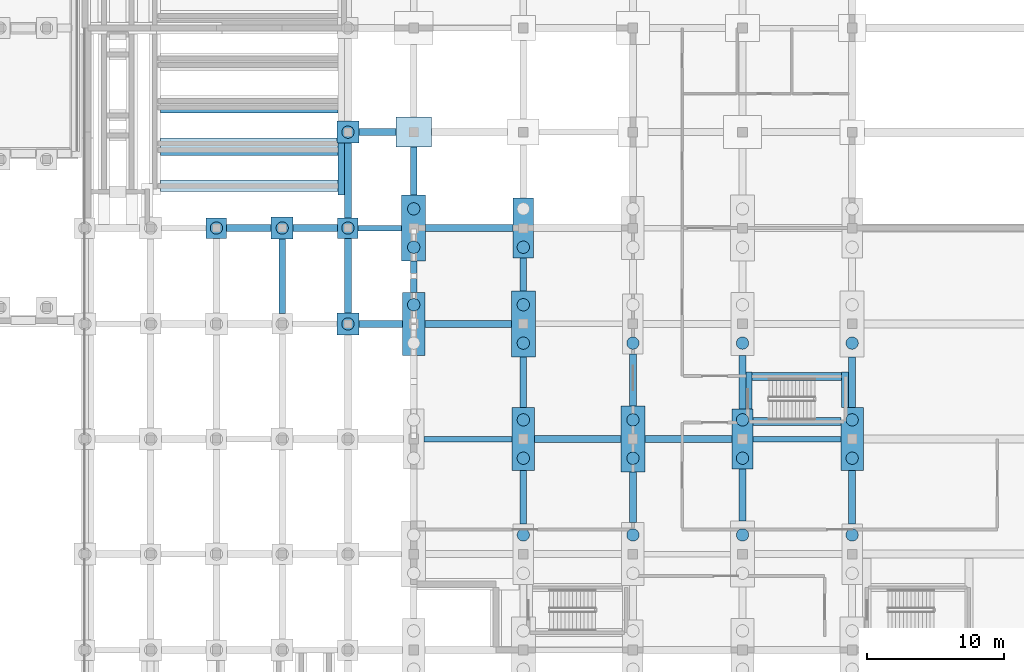
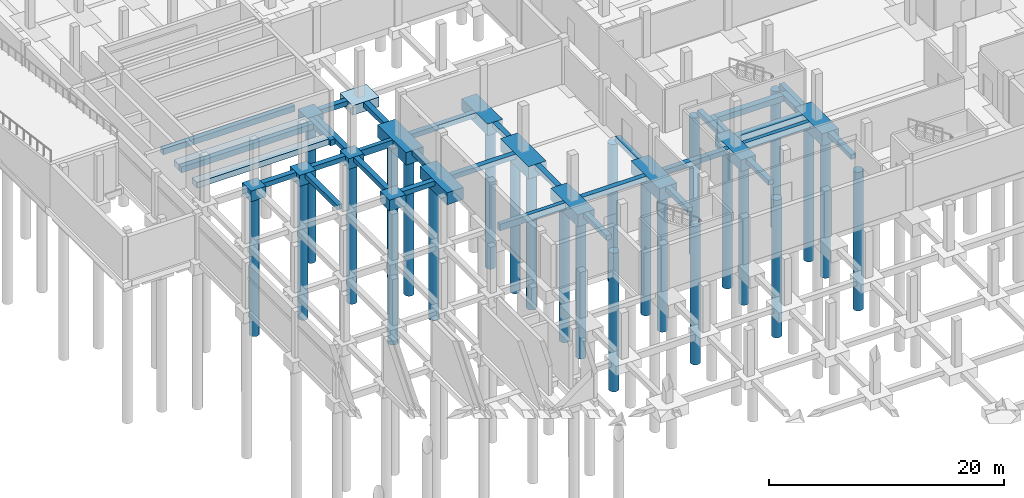
# One storey, part 10 of 50: 48 footings, 26 piles.
"""IFC4 building model written with IfcOpenShell, lengths in metres."""

from ifc_helpers import new_model, si_unit, direction, frame, origin, origin_2d, place, context, subcontext, project, spatial, polyline, rectangle, circle, outline, extrude, material, material_profile, profile_set, type_object, element, save


model = new_model("IFC4")

# Units and contexts
model_context = context("Model", 3, precision=1e-05, world=origin(), true_north=direction((0.0, 1.0)))
body_context = subcontext(model_context, "Body", "Model", "MODEL_VIEW")
ifc_project = project(units=[si_unit("LENGTHUNIT", "METRE"), si_unit("AREAUNIT", "SQUARE_METRE"), si_unit("VOLUMEUNIT", "CUBIC_METRE"), si_unit("PLANEANGLEUNIT", "RADIAN"), si_unit("MASSUNIT", "GRAM", prefix="KILO")], contexts=[model_context])

# Site, building, storey
site_placement = place(None, origin())
site = spatial("IfcSite", under=ifc_project, at=site_placement, CompositionType="ELEMENT")
building_placement = place(site_placement, origin())
building = spatial("IfcBuilding", under=site, at=building_placement, Name="Vekula Escarpment Museum", CompositionType="ELEMENT")
storey_placement = place(building_placement, frame((0.0, 0.0, -4.800048828125)))
storey = spatial("IfcBuildingStorey", under=building, at=storey_placement, Name="B1", CompositionType="ELEMENT", Elevation=-4.800048828125)

# Footings
ifc_material_1 = material(Name="Concrete C35/45", Category="concrete")
footing_type_1 = type_object("IfcFootingType", Name="FB-STRIP-600", PredefinedType="STRIP_FOOTING", material=ifc_material_1)
footing_1_placement = place(storey_placement, frame((0.0, 0.0, -0.599853515625)))
element("IfcFooting", 1, at=footing_1_placement, inside=storey, type_object=footing_type_1, Name="Plinth Wall Strip Footing 0186", PredefinedType="STRIP_FOOTING", context=body_context, shape_type="SweptSolid", body=[
    extrude(outline(polyline([(18.47998046875, 85.81005859375), (18.47998046875, 89.595947265625), (18.946044921875, 89.595947265625), (18.946044921875, 85.81005859375), (18.47998046875, 85.81005859375)])), origin(), (0.0, 0.0, 1.0), 0.599853515625),
])
footing_2_placement = place(storey_placement, frame((0.0, 0.0, -0.599853515625)))
element("IfcFooting", 2, at=footing_2_placement, inside=storey, type_object=footing_type_1, Name="Plinth Wall Strip Footing 0204", PredefinedType="STRIP_FOOTING", context=body_context, shape_type="SweptSolid", body=[
    extrude(outline(polyline([(5.52392578125, 89.14990234375), (5.52392578125, 89.989990234375), (18.39599609375, 89.989990234375), (18.39599609375, 89.595947265625), (18.47607421875, 89.595947265625), (18.47607421875, 89.14990234375), (5.52392578125, 89.14990234375)])), origin(), (0.0, 0.0, 1.0), 0.599853515625),
])
footing_3_placement = place(storey_placement, frame((0.0, 0.0, -0.599853515625)))
element("IfcFooting", 3, at=footing_3_placement, inside=storey, type_object=footing_type_1, Name="Plinth Wall Strip Footing 0205", PredefinedType="STRIP_FOOTING", context=body_context, shape_type="SweptSolid", body=[
    extrude(outline(polyline([(5.52392578125, 91.780029296875), (5.52392578125, 92.24609375), (18.47607421875, 92.24609375), (18.47607421875, 91.780029296875), (5.52392578125, 91.780029296875)])), origin(), (0.0, 0.0, 1.0), 0.599853515625),
])
footing_4_placement = place(storey_placement, frame((0.0, 0.0, -0.599853515625)))
element("IfcFooting", 4, at=footing_4_placement, inside=storey, type_object=footing_type_1, Name="Plinth Wall Strip Footing 0206", PredefinedType="STRIP_FOOTING", context=body_context, shape_type="SweptSolid", body=[
    extrude(outline(polyline([(5.52392578125, 86.050048828125), (5.52392578125, 86.889892578125), (18.47607421875, 86.889892578125), (18.47607421875, 86.050048828125), (5.52392578125, 86.050048828125)])), origin(), (0.0, 0.0, 1.0), 0.599853515625),
])
footing_5_placement = place(storey_placement, frame((0.0, 0.0, -0.599853515625)))
element("IfcFooting", 5, at=footing_5_placement, inside=storey, type_object=footing_type_1, Name="Plinth Wall Strip Footing 0207", PredefinedType="STRIP_FOOTING", context=body_context, shape_type="SweptSolid", body=[
    extrude(outline(polyline([(5.52392578125, 88.679931640625), (5.52392578125, 89.14599609375), (18.47607421875, 89.14599609375), (18.47607421875, 88.679931640625), (5.52392578125, 88.679931640625)])), origin(), (0.0, 0.0, 1.0), 0.599853515625),
])
footing_6_placement = place(storey_placement, frame((0.0, 0.0, -0.599853515625)))
element("IfcFooting", 6, at=footing_6_placement, inside=storey, type_object=footing_type_1, Name="Stair Core Strip Footing ST-10 W", PredefinedType="STRIP_FOOTING", context=body_context, shape_type="SweptSolid", body=[
    extrude(outline(polyline([(48.675048828125, 72.885009765625), (48.675048828125, 70.2041015625), (48.25390625, 70.2041015625), (48.25390625, 72.885009765625), (48.675048828125, 72.885009765625)])), origin(), (0.0, 0.0, 1.0), 0.599853515625),
])
footing_7_placement = place(storey_placement, frame((0.0, 0.0, -0.599853515625)))
element("IfcFooting", 7, at=footing_7_placement, inside=storey, type_object=footing_type_1, Name="Stair Core Strip Footing ST-10 E", PredefinedType="STRIP_FOOTING", context=body_context, shape_type="SweptSolid", body=[
    extrude(outline(polyline([(55.22509765625, 72.885009765625), (55.74609375, 72.885009765625), (55.74609375, 70.303955078125), (55.22509765625, 70.303955078125), (55.22509765625, 72.885009765625)])), origin(), (0.0, 0.0, 1.0), 0.599853515625),
])
footing_8_placement = place(storey_placement, frame((0.0, 0.0, -0.599853515625)))
element("IfcFooting", 8, at=footing_8_placement, inside=storey, type_object=footing_type_1, Name="Stair Core Strip Footing ST-10 S", PredefinedType="STRIP_FOOTING", context=body_context, shape_type="SweptSolid", body=[
    extrude(outline(polyline([(48.75390625, 68.97509765625), (48.75390625, 69.574951171875), (55.1708984375, 69.574951171875), (55.1708984375, 68.97509765625), (48.75390625, 68.97509765625)])), origin(), (0.0, 0.0, 1.0), 0.599853515625),
])
footing_9_placement = place(storey_placement, frame((0.0, 0.0, -0.599853515625)))
element("IfcFooting", 9, at=footing_9_placement, inside=storey, type_object=footing_type_1, Name="Stair Core Strip Footing ST-10 N", PredefinedType="STRIP_FOOTING", context=body_context, shape_type="SweptSolid", body=[
    extrude(outline(polyline([(48.678955078125, 72.264892578125), (48.678955078125, 72.864990234375), (55.220947265625, 72.864990234375), (55.220947265625, 72.264892578125), (48.678955078125, 72.264892578125)])), origin(), (0.0, 0.0, 1.0), 0.599853515625),
])
ifc_material_2 = material(Name="Concrete C35/45", Category="concrete")
ifc_material_profile_1 = material_profile(ifc_material_2, rectangle(XDim=0.39990234375, YDim=0.699951171875, at=origin_2d()), Name="RC 400x700")
ifc_profile_set_1 = profile_set([ifc_material_profile_1], Name="Concrete C35/45")
footing_type_2 = type_object("IfcFootingType", Name="FB-TIE-400x700", PredefinedType="FOOTING_BEAM", material=ifc_profile_set_1)
for number, where, z_axis, x_axis, name in (
    (10, (24.75, 68.0, -0.349853515625), (1.0, 0.0, 0.0), (0.0, 1.0, 0.0), "Foundation Tie Beam 192"),
    (11, (48.75, 68.0, -0.349853515625), (1.0, 0.0, 0.0), (0.0, 1.0, 0.0), "Foundation Tie Beam 195"),
):
    element("IfcFooting", number, at=place(storey_placement, frame(where, z_axis=z_axis, x_axis=x_axis)), inside=storey, type_object=footing_type_2, Name=name, PredefinedType="FOOTING_BEAM", context=body_context, shape_type="SweptSolid", body=[
        extrude(rectangle(XDim=0.39990234375, YDim=0.699951171875, at=origin_2d()), origin(), (0.0, 0.0, 1.0), 6.425048828125),
    ])
footing_10_placement = place(storey_placement, frame((19.949951171875, 83.39990234375, -0.349853515625), z_axis=(1.0, 0.0, 0.0), x_axis=(0.0, 1.0, 0.0)))
element("IfcFooting", 12, at=footing_10_placement, inside=storey, type_object=footing_type_2, Name="Foundation Tie Beam 237", PredefinedType="FOOTING_BEAM", context=body_context, shape_type="SweptSolid", body=[
    extrude(rectangle(XDim=0.39990234375, YDim=0.699951171875, at=origin_2d()), origin(), (0.0, 0.0, 1.0), 3.175048828125),
])
ifc_material_3 = material(Name="Concrete C35/45", Category="concrete")
ifc_material_profile_2 = material_profile(ifc_material_3, rectangle(XDim=0.5, YDim=0.5, at=origin_2d()), Name="RC 500x500")
ifc_profile_set_2 = profile_set([ifc_material_profile_2], Name="Concrete C35/45")
footing_type_3 = type_object("IfcFootingType", Name="FB-TIE-500x500", PredefinedType="FOOTING_BEAM", material=ifc_profile_set_2)
footing_11_placement = place(storey_placement, frame((32.824951171875, 68.0, -0.25), z_axis=(1.0, 0.0, 0.0), x_axis=(0.0, 1.0, 0.0)))
element("IfcFooting", 13, at=footing_11_placement, inside=storey, type_object=footing_type_3, Name="Foundation Tie Beam 193", PredefinedType="FOOTING_BEAM", context=body_context, shape_type="SweptSolid", body=[
    extrude(rectangle(XDim=0.5, YDim=0.5, at=origin_2d()), origin(), (0.0, 0.0, 1.0), 6.300048828125),
])
footing_12_placement = place(storey_placement, frame((40.875, 68.0, -0.25), z_axis=(1.0, 0.0, 0.0), x_axis=(0.0, 1.0, 0.0)))
element("IfcFooting", 14, at=footing_12_placement, inside=storey, type_object=footing_type_3, Name="Foundation Tie Beam 194", PredefinedType="FOOTING_BEAM", context=body_context, shape_type="SweptSolid", body=[
    extrude(rectangle(XDim=0.5, YDim=0.5, at=origin_2d()), origin(), (0.0, 0.0, 1.0), 6.375),
])
footing_13_placement = place(storey_placement, frame((20.0, 76.39990234375, -0.25), z_axis=(1.0, 0.0, 0.0), x_axis=(0.0, 1.0, 0.0)))
element("IfcFooting", 15, at=footing_13_placement, inside=storey, type_object=footing_type_3, Name="Foundation Tie Beam 214", PredefinedType="FOOTING_BEAM", context=body_context, shape_type="SweptSolid", body=[
    extrude(rectangle(XDim=0.5, YDim=0.5, at=origin_2d()), origin(), (0.0, 0.0, 1.0), 3.175048828125),
])
footing_14_placement = place(storey_placement, frame((24.824951171875, 76.39990234375, -0.25), z_axis=(1.0, 0.0, 0.0), x_axis=(0.0, 1.0, 0.0)))
element("IfcFooting", 16, at=footing_14_placement, inside=storey, type_object=footing_type_3, Name="Foundation Tie Beam 215", PredefinedType="FOOTING_BEAM", context=body_context, shape_type="SweptSolid", body=[
    extrude(rectangle(XDim=0.5, YDim=0.5, at=origin_2d()), origin(), (0.0, 0.0, 1.0), 6.300048828125),
])
for number, where, z_axis, x_axis, name in (
    (17, (10.35009765625, 83.39990234375, -0.25), (1.0, 0.0, 0.0), (0.0, 1.0, 0.0), "Foundation Tie Beam 235"),
    (18, (15.199951171875, 83.39990234375, -0.25), (1.0, 0.0, 0.0), (0.0, 1.0, 0.0), "Foundation Tie Beam 236"),
):
    element("IfcFooting", number, at=place(storey_placement, frame(where, z_axis=z_axis, x_axis=x_axis)), inside=storey, type_object=footing_type_3, Name=name, PredefinedType="FOOTING_BEAM", context=body_context, shape_type="SweptSolid", body=[
        extrude(rectangle(XDim=0.5, YDim=0.5, at=origin_2d()), origin(), (0.0, 0.0, 1.0), 3.25),
    ])
footing_15_placement = place(storey_placement, frame((24.875, 83.39990234375, -0.25), z_axis=(1.0, 0.0, 0.0), x_axis=(0.0, 1.0, 0.0)))
element("IfcFooting", 19, at=footing_15_placement, inside=storey, type_object=footing_type_3, Name="Foundation Tie Beam 238", PredefinedType="FOOTING_BEAM", context=body_context, shape_type="SweptSolid", body=[
    extrude(rectangle(XDim=0.5, YDim=0.5, at=origin_2d()), origin(), (0.0, 0.0, 1.0), 6.375),
])
footing_16_placement = place(storey_placement, frame((20.0, 90.39990234375, -0.25), z_axis=(1.0, 0.0, 0.0), x_axis=(0.0, 1.0, 0.0)))
element("IfcFooting", 20, at=footing_16_placement, inside=storey, type_object=footing_type_3, Name="Foundation Tie Beam 256", PredefinedType="FOOTING_BEAM", context=body_context, shape_type="SweptSolid", body=[
    extrude(rectangle(XDim=0.5, YDim=0.5, at=origin_2d()), origin(), (0.0, 0.0, 1.0), 2.699951171875),
])
footing_17_placement = place(storey_placement, frame((14.39990234375, 77.14990234375, -0.25), z_axis=(0.0, 1.0, 0.0), x_axis=(-1.0, 0.0, 0.0)))
element("IfcFooting", 21, at=footing_17_placement, inside=storey, type_object=footing_type_3, Name="Foundation Tie Beam 437", PredefinedType="FOOTING_BEAM", context=body_context, shape_type="SweptSolid", body=[
    extrude(rectangle(XDim=0.5, YDim=0.5, at=origin_2d()), origin(), (0.0, 0.0, 1.0), 5.4501953125),
])
footing_18_placement = place(storey_placement, frame((19.199951171875, 77.199951171875, -0.25), z_axis=(0.0, 1.0, 0.0), x_axis=(-1.0, 0.0, 0.0)))
element("IfcFooting", 22, at=footing_18_placement, inside=storey, type_object=footing_type_3, Name="Foundation Tie Beam 452", PredefinedType="FOOTING_BEAM", context=body_context, shape_type="SweptSolid", body=[
    extrude(rectangle(XDim=0.5, YDim=0.5, at=origin_2d()), origin(), (0.0, 0.0, 1.0), 5.449951171875),
])
footing_19_placement = place(storey_placement, frame((19.199951171875, 84.14990234375, -0.25), z_axis=(0.0, 1.0, 0.0), x_axis=(-1.0, 0.0, 0.0)))
element("IfcFooting", 23, at=footing_19_placement, inside=storey, type_object=footing_type_3, Name="Foundation Tie Beam 453", PredefinedType="FOOTING_BEAM", context=body_context, shape_type="SweptSolid", body=[
    extrude(rectangle(XDim=0.5, YDim=0.5, at=origin_2d()), origin(), (0.0, 0.0, 1.0), 5.4501953125),
])
footing_20_placement = place(storey_placement, frame((24.0, 78.699951171875, -0.25), z_axis=(0.0, 1.0, 0.0), x_axis=(-1.0, 0.0, 0.0)))
element("IfcFooting", 24, at=footing_20_placement, inside=storey, type_object=footing_type_3, Name="Foundation Tie Beam 470", PredefinedType="FOOTING_BEAM", context=body_context, shape_type="SweptSolid", body=[
    extrude(rectangle(XDim=0.5, YDim=0.5, at=origin_2d()), origin(), (0.0, 0.0, 1.0), 2.300048828125),
])
footing_21_placement = place(storey_placement, frame((24.0, 85.800048828125, -0.25), z_axis=(0.0, 1.0, 0.0), x_axis=(-1.0, 0.0, 0.0)))
element("IfcFooting", 25, at=footing_21_placement, inside=storey, type_object=footing_type_3, Name="Foundation Tie Beam 471", PredefinedType="FOOTING_BEAM", context=body_context, shape_type="SweptSolid", body=[
    extrude(rectangle(XDim=0.5, YDim=0.5, at=origin_2d()), origin(), (0.0, 0.0, 1.0), 3.5),
])
footing_22_placement = place(storey_placement, frame((32.0, 61.800048828125, -0.25), z_axis=(0.0, 1.0, 0.0), x_axis=(-1.0, 0.0, 0.0)))
element("IfcFooting", 26, at=footing_22_placement, inside=storey, type_object=footing_type_3, Name="Foundation Tie Beam 486", PredefinedType="FOOTING_BEAM", context=body_context, shape_type="SweptSolid", body=[
    extrude(rectangle(XDim=0.5, YDim=0.5, at=origin_2d()), origin(), (0.0, 0.0, 1.0), 3.89990234375),
])
footing_23_placement = place(storey_placement, frame((32.0, 70.300048828125, -0.25), z_axis=(0.0, 1.0, 0.0), x_axis=(-1.0, 0.0, 0.0)))
element("IfcFooting", 27, at=footing_23_placement, inside=storey, type_object=footing_type_3, Name="Foundation Tie Beam 487", PredefinedType="FOOTING_BEAM", context=body_context, shape_type="SweptSolid", body=[
    extrude(rectangle(XDim=0.5, YDim=0.5, at=origin_2d()), origin(), (0.0, 0.0, 1.0), 3.699951171875),
])
footing_24_placement = place(storey_placement, frame((32.0, 78.800048828125, -0.25), z_axis=(0.0, 1.0, 0.0), x_axis=(-1.0, 0.0, 0.0)))
element("IfcFooting", 28, at=footing_24_placement, inside=storey, type_object=footing_type_3, Name="Foundation Tie Beam 488", PredefinedType="FOOTING_BEAM", context=body_context, shape_type="SweptSolid", body=[
    extrude(rectangle(XDim=0.5, YDim=0.5, at=origin_2d()), origin(), (0.0, 0.0, 1.0), 2.39990234375),
])
footing_25_placement = place(storey_placement, frame((40.0, 61.89990234375, -0.25), z_axis=(0.0, 1.0, 0.0), x_axis=(-1.0, 0.0, 0.0)))
element("IfcFooting", 29, at=footing_25_placement, inside=storey, type_object=footing_type_3, Name="Foundation Tie Beam 504", PredefinedType="FOOTING_BEAM", context=body_context, shape_type="SweptSolid", body=[
    extrude(rectangle(XDim=0.5, YDim=0.5, at=origin_2d()), origin(), (0.0, 0.0, 1.0), 3.7001953125),
])
for number, where, z_axis, x_axis, name in (
    (30, (40.0, 70.39990234375, -0.25), (0.0, 1.0, 0.0), (-1.0, 0.0, 0.0), "Foundation Tie Beam 505"),
    (31, (48.0, 62.0, -0.25), (0.0, 1.0, 0.0), (-1.0, 0.0, 0.0), "Foundation Tie Beam 522"),
):
    element("IfcFooting", number, at=place(storey_placement, frame(where, z_axis=z_axis, x_axis=x_axis)), inside=storey, type_object=footing_type_3, Name=name, PredefinedType="FOOTING_BEAM", context=body_context, shape_type="SweptSolid", body=[
        extrude(rectangle(XDim=0.5, YDim=0.5, at=origin_2d()), origin(), (0.0, 0.0, 1.0), 3.800048828125),
    ])
footing_26_placement = place(storey_placement, frame((48.0, 70.199951171875, -0.25), z_axis=(0.0, 1.0, 0.0), x_axis=(-1.0, 0.0, 0.0)))
element("IfcFooting", 32, at=footing_26_placement, inside=storey, type_object=footing_type_3, Name="Foundation Tie Beam 523", PredefinedType="FOOTING_BEAM", context=body_context, shape_type="SweptSolid", body=[
    extrude(rectangle(XDim=0.5, YDim=0.5, at=origin_2d()), origin(), (0.0, 0.0, 1.0), 3.900146484375),
])
footing_27_placement = place(storey_placement, frame((56.0, 61.800048828125, -0.25), z_axis=(0.0, 1.0, 0.0), x_axis=(-1.0, 0.0, 0.0)))
element("IfcFooting", 33, at=footing_27_placement, inside=storey, type_object=footing_type_3, Name="Foundation Tie Beam 540", PredefinedType="FOOTING_BEAM", context=body_context, shape_type="SweptSolid", body=[
    extrude(rectangle(XDim=0.5, YDim=0.5, at=origin_2d()), origin(), (0.0, 0.0, 1.0), 3.89990234375),
])
footing_28_placement = place(storey_placement, frame((56.0, 70.300048828125, -0.25), z_axis=(0.0, 1.0, 0.0), x_axis=(-1.0, 0.0, 0.0)))
element("IfcFooting", 34, at=footing_28_placement, inside=storey, type_object=footing_type_3, Name="Foundation Tie Beam 541", PredefinedType="FOOTING_BEAM", context=body_context, shape_type="SweptSolid", body=[
    extrude(rectangle(XDim=0.5, YDim=0.5, at=origin_2d()), origin(), (0.0, 0.0, 1.0), 3.699951171875),
])
ifc_material_4 = material(Name="Concrete C35/45", Category="concrete")
footing_type_4 = type_object("IfcFootingType", Name="FC-PAD5", PredefinedType="PAD_FOOTING", material=ifc_material_4)
footing_29_placement = place(storey_placement, frame((0.0, 0.0, -1.0)))
element("IfcFooting", 35, at=footing_29_placement, inside=storey, type_object=footing_type_4, Name="Foundation FC-PAD5 (24.0,90.4)", PredefinedType="PAD_FOOTING", context=body_context, shape_type="SweptSolid", body=[
    extrude(outline(polyline([(22.699951171875, 89.300048828125), (25.300048828125, 89.300048828125), (25.300048828125, 91.5), (22.699951171875, 91.5), (22.699951171875, 89.300048828125)])), origin(), (0.0, 0.0, 1.0), 1.0),
])
ifc_material_5 = material(Name="Concrete C35/45", Category="concrete")
footing_type_5 = type_object("IfcFootingType", Name="FC-PC1A", PredefinedType="PILE_CAP", material=ifc_material_5)
footing_30_placement = place(storey_placement, frame((0.0, 0.0, -1.099853515625)))
element("IfcFooting", 36, at=footing_30_placement, inside=storey, type_object=footing_type_5, Name="Foundation FC-PC1A (9.6,83.4)", PredefinedType="PILE_CAP", context=body_context, shape_type="SweptSolid", body=[
    extrude(outline(polyline([(8.85009765625, 82.64990234375), (10.35009765625, 82.64990234375), (10.35009765625, 84.14990234375), (8.85009765625, 84.14990234375), (8.85009765625, 82.64990234375)])), origin(), (0.0, 0.0, 1.0), 1.099853515625),
])
footing_31_placement = place(storey_placement, frame((0.0, 0.0, -1.099853515625)))
element("IfcFooting", 37, at=footing_31_placement, inside=storey, type_object=footing_type_5, Name="Foundation FC-PC1A (19.2,83.4)", PredefinedType="PILE_CAP", context=body_context, shape_type="SweptSolid", body=[
    extrude(outline(polyline([(18.449951171875, 82.64990234375), (19.949951171875, 82.64990234375), (19.949951171875, 84.14990234375), (18.449951171875, 84.14990234375), (18.449951171875, 82.64990234375)])), origin(), (0.0, 0.0, 1.0), 1.099853515625),
])
ifc_material_6 = material(Name="Concrete C35/45", Category="concrete")
footing_type_6 = type_object("IfcFootingType", Name="FC-PC1B", PredefinedType="PILE_CAP", material=ifc_material_6)
footing_32_placement = place(storey_placement, frame((0.0, 0.0, -1.14990234375)))
element("IfcFooting", 38, at=footing_32_placement, inside=storey, type_object=footing_type_6, Name="Foundation FC-PC1B (14.4,83.4)", PredefinedType="PILE_CAP", context=body_context, shape_type="SweptSolid", body=[
    extrude(outline(polyline([(13.60009765625, 82.60009765625), (15.199951171875, 82.60009765625), (15.199951171875, 84.199951171875), (13.60009765625, 84.199951171875), (13.60009765625, 82.60009765625)])), origin(), (0.0, 0.0, 1.0), 1.14990234375),
])
footing_33_placement = place(storey_placement, frame((0.0, 0.0, -1.14990234375)))
element("IfcFooting", 39, at=footing_33_placement, inside=storey, type_object=footing_type_6, Name="Foundation FC-PC1B (19.2,76.4)", PredefinedType="PILE_CAP", context=body_context, shape_type="SweptSolid", body=[
    extrude(outline(polyline([(18.39990234375, 75.60009765625), (20.0, 75.60009765625), (20.0, 77.199951171875), (18.39990234375, 77.199951171875), (18.39990234375, 75.60009765625)])), origin(), (0.0, 0.0, 1.0), 1.14990234375),
])
footing_34_placement = place(storey_placement, frame((0.0, 0.0, -1.14990234375)))
element("IfcFooting", 40, at=footing_34_placement, inside=storey, type_object=footing_type_6, Name="Foundation FC-PC1B (19.2,90.4)", PredefinedType="PILE_CAP", context=body_context, shape_type="SweptSolid", body=[
    extrude(outline(polyline([(18.39990234375, 89.60009765625), (20.0, 89.60009765625), (20.0, 91.199951171875), (18.39990234375, 91.199951171875), (18.39990234375, 89.60009765625)])), origin(), (0.0, 0.0, 1.0), 1.14990234375),
])
ifc_material_7 = material(Name="Concrete C35/45", Category="concrete")
footing_type_7 = type_object("IfcFootingType", Name="FC-PC2Y-A", PredefinedType="PILE_CAP", material=ifc_material_7)
footing_35_placement = place(storey_placement, frame((0.0, 0.0, -1.199951171875)))
element("IfcFooting", 41, at=footing_35_placement, inside=storey, type_object=footing_type_7, Name="Foundation FC-PC2Y-A (32.0,83.4)", PredefinedType="PILE_CAP", context=body_context, shape_type="SweptSolid", body=[
    extrude(outline(polyline([(31.25, 81.199951171875), (32.75, 81.199951171875), (32.75, 85.60009765625), (31.25, 85.60009765625), (31.25, 81.199951171875)])), origin(), (0.0, 0.0, 1.0), 1.199951171875),
])
footing_36_placement = place(storey_placement, frame((0.0, 0.0, -1.199951171875)))
element("IfcFooting", 42, at=footing_36_placement, inside=storey, type_object=footing_type_7, Name="Foundation FC-PC2Y-A (48.0,68.0)", PredefinedType="PILE_CAP", context=body_context, shape_type="SweptSolid", body=[
    extrude(outline(polyline([(47.25, 65.800048828125), (48.75, 65.800048828125), (48.75, 70.199951171875), (47.25, 70.199951171875), (47.25, 65.800048828125)])), origin(), (0.0, 0.0, 1.0), 1.199951171875),
])
ifc_material_8 = material(Name="Concrete C35/45", Category="concrete")
footing_type_8 = type_object("IfcFootingType", Name="FC-PC2Y-B", PredefinedType="PILE_CAP", material=ifc_material_8)
footing_37_placement = place(storey_placement, frame((0.0, 0.0, -1.25)))
element("IfcFooting", 43, at=footing_37_placement, inside=storey, type_object=footing_type_8, Name="Foundation FC-PC2Y-B (24.0,76.4)", PredefinedType="PILE_CAP", context=body_context, shape_type="SweptSolid", body=[
    extrude(outline(polyline([(23.175048828125, 74.10009765625), (24.824951171875, 74.10009765625), (24.824951171875, 78.699951171875), (23.175048828125, 78.699951171875), (23.175048828125, 74.10009765625)])), origin(), (0.0, 0.0, 1.0), 1.25),
])
footing_38_placement = place(storey_placement, frame((0.0, 0.0, -1.25)))
element("IfcFooting", 44, at=footing_38_placement, inside=storey, type_object=footing_type_8, Name="Foundation FC-PC2Y-B (32.0,68.0)", PredefinedType="PILE_CAP", context=body_context, shape_type="SweptSolid", body=[
    extrude(outline(polyline([(31.175048828125, 65.699951171875), (32.824951171875, 65.699951171875), (32.824951171875, 70.300048828125), (31.175048828125, 70.300048828125), (31.175048828125, 65.699951171875)])), origin(), (0.0, 0.0, 1.0), 1.25),
])
footing_39_placement = place(storey_placement, frame((0.0, 0.0, -1.25)))
element("IfcFooting", 45, at=footing_39_placement, inside=storey, type_object=footing_type_8, Name="Foundation FC-PC2Y-B (56.0,68.0)", PredefinedType="PILE_CAP", context=body_context, shape_type="SweptSolid", body=[
    extrude(outline(polyline([(55.175048828125, 65.699951171875), (56.824951171875, 65.699951171875), (56.824951171875, 70.300048828125), (55.175048828125, 70.300048828125), (55.175048828125, 65.699951171875)])), origin(), (0.0, 0.0, 1.0), 1.25),
])
ifc_material_9 = material(Name="Concrete C35/45", Category="concrete")
footing_type_9 = type_object("IfcFootingType", Name="FC-PC2Y-C", PredefinedType="PILE_CAP", material=ifc_material_9)
footing_40_placement = place(storey_placement, frame((0.0, 0.0, -1.300048828125)))
element("IfcFooting", 46, at=footing_40_placement, inside=storey, type_object=footing_type_9, Name="Foundation FC-PC2Y-C (24.0,83.4)", PredefinedType="PILE_CAP", context=body_context, shape_type="SweptSolid", body=[
    extrude(outline(polyline([(23.125, 81.0), (24.875, 81.0), (24.875, 85.800048828125), (23.125, 85.800048828125), (23.125, 81.0)])), origin(), (0.0, 0.0, 1.0), 1.300048828125),
])
footing_41_placement = place(storey_placement, frame((0.0, 0.0, -1.300048828125)))
element("IfcFooting", 47, at=footing_41_placement, inside=storey, type_object=footing_type_9, Name="Foundation FC-PC2Y-C (32.0,76.4)", PredefinedType="PILE_CAP", context=body_context, shape_type="SweptSolid", body=[
    extrude(outline(polyline([(31.125, 74.0), (32.875, 74.0), (32.875, 78.800048828125), (31.125, 78.800048828125), (31.125, 74.0)])), origin(), (0.0, 0.0, 1.0), 1.300048828125),
])
footing_42_placement = place(storey_placement, frame((0.0, 0.0, -1.300048828125)))
element("IfcFooting", 48, at=footing_42_placement, inside=storey, type_object=footing_type_9, Name="Foundation FC-PC2Y-C (40.0,68.0)", PredefinedType="PILE_CAP", context=body_context, shape_type="SweptSolid", body=[
    extrude(outline(polyline([(39.125, 65.60009765625), (40.875, 65.60009765625), (40.875, 70.39990234375), (39.125, 70.39990234375), (39.125, 65.60009765625)])), origin(), (0.0, 0.0, 1.0), 1.300048828125),
])

# Piles
ifc_material_10 = material(Name="Concrete C35/45", Category="concrete")
ifc_material_profile_3 = material_profile(ifc_material_10, circle(Radius=0.449951171875, at=origin_2d()), Name="BORED PILE 900")
ifc_profile_set_3 = profile_set([ifc_material_profile_3], Name="Concrete C35/45")
pile_type = type_object("IfcPileType", Name="PILE-B900", PredefinedType="BORED", material=ifc_profile_set_3)
pile_1_placement = place(storey_placement, frame((9.60009765625, 83.39990234375, -1.0), z_axis=(0.0, 0.0, -1.0), x_axis=(1.0, 0.0, 0.0)))
element("IfcPile", 49, at=pile_1_placement, inside=storey, type_object=pile_type, Name="Bored Pile (9.6,83.4)", PredefinedType="BORED", context=body_context, shape_type="SweptSolid", body=[
    extrude(circle(Radius=0.449951171875, at=origin_2d()), origin(), (0.0, 0.0, 1.0), 14.5),
])
for number, where, z_axis, x_axis, name in (
    (50, (14.39990234375, 83.39990234375, -1.050048828125), (0.0, 0.0, -1.0), (1.0, 0.0, 0.0), "Bored Pile (14.4,83.4)"),
    (51, (19.199951171875, 76.39990234375, -1.050048828125), (0.0, 0.0, -1.0), (1.0, 0.0, 0.0), "Bored Pile (19.2,76.4)"),
):
    element("IfcPile", number, at=place(storey_placement, frame(where, z_axis=z_axis, x_axis=x_axis)), inside=storey, type_object=pile_type, Name=name, PredefinedType="BORED", context=body_context, shape_type="SweptSolid", body=[
        extrude(circle(Radius=0.449951171875, at=origin_2d()), origin(), (0.0, 0.0, 1.0), 14.449951171875),
    ])
pile_2_placement = place(storey_placement, frame((19.199951171875, 83.39990234375, -1.0), z_axis=(0.0, 0.0, -1.0), x_axis=(1.0, 0.0, 0.0)))
element("IfcPile", 52, at=pile_2_placement, inside=storey, type_object=pile_type, Name="Bored Pile (19.2,83.4)", PredefinedType="BORED", context=body_context, shape_type="SweptSolid", body=[
    extrude(circle(Radius=0.449951171875, at=origin_2d()), origin(), (0.0, 0.0, 1.0), 14.5),
])
pile_3_placement = place(storey_placement, frame((19.199951171875, 90.39990234375, -1.050048828125), z_axis=(0.0, 0.0, -1.0), x_axis=(1.0, 0.0, 0.0)))
element("IfcPile", 53, at=pile_3_placement, inside=storey, type_object=pile_type, Name="Bored Pile (19.2,90.4)", PredefinedType="BORED", context=body_context, shape_type="SweptSolid", body=[
    extrude(circle(Radius=0.449951171875, at=origin_2d()), origin(), (0.0, 0.0, 1.0), 14.449951171875),
])
pile_4_placement = place(storey_placement, frame((24.0, 77.800048828125, -1.14990234375), z_axis=(0.0, 0.0, -1.0), x_axis=(1.0, 0.0, 0.0)))
element("IfcPile", 54, at=pile_4_placement, inside=storey, type_object=pile_type, Name="Bored Pile (24.0,77.8)", PredefinedType="BORED", context=body_context, shape_type="SweptSolid", body=[
    extrude(circle(Radius=0.449951171875, at=origin_2d()), origin(), (0.0, 0.0, 1.0), 14.35009765625),
])
for number, where, z_axis, x_axis, name in (
    (55, (24.0, 82.0, -1.199951171875), (0.0, 0.0, -1.0), (1.0, 0.0, 0.0), "Bored Pile (24.0,82.0)"),
    (56, (24.0, 84.800048828125, -1.199951171875), (0.0, 0.0, -1.0), (1.0, 0.0, 0.0), "Bored Pile (24.0,84.8)"),
):
    element("IfcPile", number, at=place(storey_placement, frame(where, z_axis=z_axis, x_axis=x_axis)), inside=storey, type_object=pile_type, Name=name, PredefinedType="BORED", context=body_context, shape_type="SweptSolid", body=[
        extrude(circle(Radius=0.449951171875, at=origin_2d()), origin(), (0.0, 0.0, 1.0), 14.300048828125),
    ])
pile_5_placement = place(storey_placement, frame((32.0, 61.0, -1.099853515625), z_axis=(0.0, 0.0, -1.0), x_axis=(1.0, 0.0, 0.0)))
element("IfcPile", 57, at=pile_5_placement, inside=storey, type_object=pile_type, Name="Bored Pile (32.0,61.0)", PredefinedType="BORED", context=body_context, shape_type="SweptSolid", body=[
    extrude(circle(Radius=0.449951171875, at=origin_2d()), origin(), (0.0, 0.0, 1.0), 14.39990234375),
])
for number, where, z_axis, x_axis, name in (
    (58, (32.0, 66.60009765625, -1.14990234375), (0.0, 0.0, -1.0), (1.0, 0.0, 0.0), "Bored Pile (32.0,66.6)"),
    (59, (32.0, 69.39990234375, -1.14990234375), (0.0, 0.0, -1.0), (1.0, 0.0, 0.0), "Bored Pile (32.0,69.4)"),
):
    element("IfcPile", number, at=place(storey_placement, frame(where, z_axis=z_axis, x_axis=x_axis)), inside=storey, type_object=pile_type, Name=name, PredefinedType="BORED", context=body_context, shape_type="SweptSolid", body=[
        extrude(circle(Radius=0.449951171875, at=origin_2d()), origin(), (0.0, 0.0, 1.0), 14.35009765625),
    ])
for number, where, z_axis, x_axis, name in (
    (60, (32.0, 75.0, -1.199951171875), (0.0, 0.0, -1.0), (1.0, 0.0, 0.0), "Bored Pile (32.0,75.0)"),
    (61, (32.0, 77.800048828125, -1.199951171875), (0.0, 0.0, -1.0), (1.0, 0.0, 0.0), "Bored Pile (32.0,77.8)"),
):
    element("IfcPile", number, at=place(storey_placement, frame(where, z_axis=z_axis, x_axis=x_axis)), inside=storey, type_object=pile_type, Name=name, PredefinedType="BORED", context=body_context, shape_type="SweptSolid", body=[
        extrude(circle(Radius=0.449951171875, at=origin_2d()), origin(), (0.0, 0.0, 1.0), 14.300048828125),
    ])
pile_6_placement = place(storey_placement, frame((32.0, 82.0, -1.099853515625), z_axis=(0.0, 0.0, -1.0), x_axis=(1.0, 0.0, 0.0)))
element("IfcPile", 62, at=pile_6_placement, inside=storey, type_object=pile_type, Name="Bored Pile (32.0,82.0)", PredefinedType="BORED", context=body_context, shape_type="SweptSolid", body=[
    extrude(circle(Radius=0.449951171875, at=origin_2d()), origin(), (0.0, 0.0, 1.0), 14.39990234375),
])
pile_7_placement = place(storey_placement, frame((40.0, 61.0, -1.14990234375), z_axis=(0.0, 0.0, -1.0), x_axis=(1.0, 0.0, 0.0)))
element("IfcPile", 63, at=pile_7_placement, inside=storey, type_object=pile_type, Name="Bored Pile (40.0,61.0)", PredefinedType="BORED", context=body_context, shape_type="SweptSolid", body=[
    extrude(circle(Radius=0.449951171875, at=origin_2d()), origin(), (0.0, 0.0, 1.0), 14.35009765625),
])
for number, where, z_axis, x_axis, name in (
    (64, (40.0, 66.60009765625, -1.199951171875), (0.0, 0.0, -1.0), (1.0, 0.0, 0.0), "Bored Pile (40.0,66.6)"),
    (65, (40.0, 69.39990234375, -1.199951171875), (0.0, 0.0, -1.0), (1.0, 0.0, 0.0), "Bored Pile (40.0,69.4)"),
):
    element("IfcPile", number, at=place(storey_placement, frame(where, z_axis=z_axis, x_axis=x_axis)), inside=storey, type_object=pile_type, Name=name, PredefinedType="BORED", context=body_context, shape_type="SweptSolid", body=[
        extrude(circle(Radius=0.449951171875, at=origin_2d()), origin(), (0.0, 0.0, 1.0), 14.300048828125),
    ])
pile_8_placement = place(storey_placement, frame((40.0, 75.0, -1.099853515625), z_axis=(0.0, 0.0, -1.0), x_axis=(1.0, 0.0, 0.0)))
element("IfcPile", 66, at=pile_8_placement, inside=storey, type_object=pile_type, Name="Bored Pile (40.0,75.0)", PredefinedType="BORED", context=body_context, shape_type="SweptSolid", body=[
    extrude(circle(Radius=0.449951171875, at=origin_2d()), origin(), (0.0, 0.0, 1.0), 14.39990234375),
])
pile_9_placement = place(storey_placement, frame((48.0, 61.0, -1.199951171875), z_axis=(0.0, 0.0, -1.0), x_axis=(1.0, 0.0, 0.0)))
element("IfcPile", 67, at=pile_9_placement, inside=storey, type_object=pile_type, Name="Bored Pile (48.0,61.0)", PredefinedType="BORED", context=body_context, shape_type="SweptSolid", body=[
    extrude(circle(Radius=0.449951171875, at=origin_2d()), origin(), (0.0, 0.0, 1.0), 14.300048828125),
])
for number, where, z_axis, x_axis, name in (
    (68, (48.0, 66.60009765625, -1.099853515625), (0.0, 0.0, -1.0), (1.0, 0.0, 0.0), "Bored Pile (48.0,66.6)"),
    (69, (48.0, 69.39990234375, -1.099853515625), (0.0, 0.0, -1.0), (1.0, 0.0, 0.0), "Bored Pile (48.0,69.4)"),
):
    element("IfcPile", number, at=place(storey_placement, frame(where, z_axis=z_axis, x_axis=x_axis)), inside=storey, type_object=pile_type, Name=name, PredefinedType="BORED", context=body_context, shape_type="SweptSolid", body=[
        extrude(circle(Radius=0.449951171875, at=origin_2d()), origin(), (0.0, 0.0, 1.0), 14.39990234375),
    ])
pile_10_placement = place(storey_placement, frame((48.0, 75.0, -1.14990234375), z_axis=(0.0, 0.0, -1.0), x_axis=(1.0, 0.0, 0.0)))
element("IfcPile", 70, at=pile_10_placement, inside=storey, type_object=pile_type, Name="Bored Pile (48.0,75.0)", PredefinedType="BORED", context=body_context, shape_type="SweptSolid", body=[
    extrude(circle(Radius=0.449951171875, at=origin_2d()), origin(), (0.0, 0.0, 1.0), 14.35009765625),
])
pile_11_placement = place(storey_placement, frame((56.0, 61.0, -1.099853515625), z_axis=(0.0, 0.0, -1.0), x_axis=(1.0, 0.0, 0.0)))
element("IfcPile", 71, at=pile_11_placement, inside=storey, type_object=pile_type, Name="Bored Pile (56.0,61.0)", PredefinedType="BORED", context=body_context, shape_type="SweptSolid", body=[
    extrude(circle(Radius=0.449951171875, at=origin_2d()), origin(), (0.0, 0.0, 1.0), 14.39990234375),
])
for number, where, z_axis, x_axis, name in (
    (72, (56.0, 66.60009765625, -1.14990234375), (0.0, 0.0, -1.0), (1.0, 0.0, 0.0), "Bored Pile (56.0,66.6)"),
    (73, (56.0, 69.39990234375, -1.14990234375), (0.0, 0.0, -1.0), (1.0, 0.0, 0.0), "Bored Pile (56.0,69.4)"),
):
    element("IfcPile", number, at=place(storey_placement, frame(where, z_axis=z_axis, x_axis=x_axis)), inside=storey, type_object=pile_type, Name=name, PredefinedType="BORED", context=body_context, shape_type="SweptSolid", body=[
        extrude(circle(Radius=0.449951171875, at=origin_2d()), origin(), (0.0, 0.0, 1.0), 14.35009765625),
    ])
pile_12_placement = place(storey_placement, frame((56.0, 75.0, -1.199951171875), z_axis=(0.0, 0.0, -1.0), x_axis=(1.0, 0.0, 0.0)))
element("IfcPile", 74, at=pile_12_placement, inside=storey, type_object=pile_type, Name="Bored Pile (56.0,75.0)", PredefinedType="BORED", context=body_context, shape_type="SweptSolid", body=[
    extrude(circle(Radius=0.449951171875, at=origin_2d()), origin(), (0.0, 0.0, 1.0), 14.300048828125),
])

save(model, "model.ifc")
